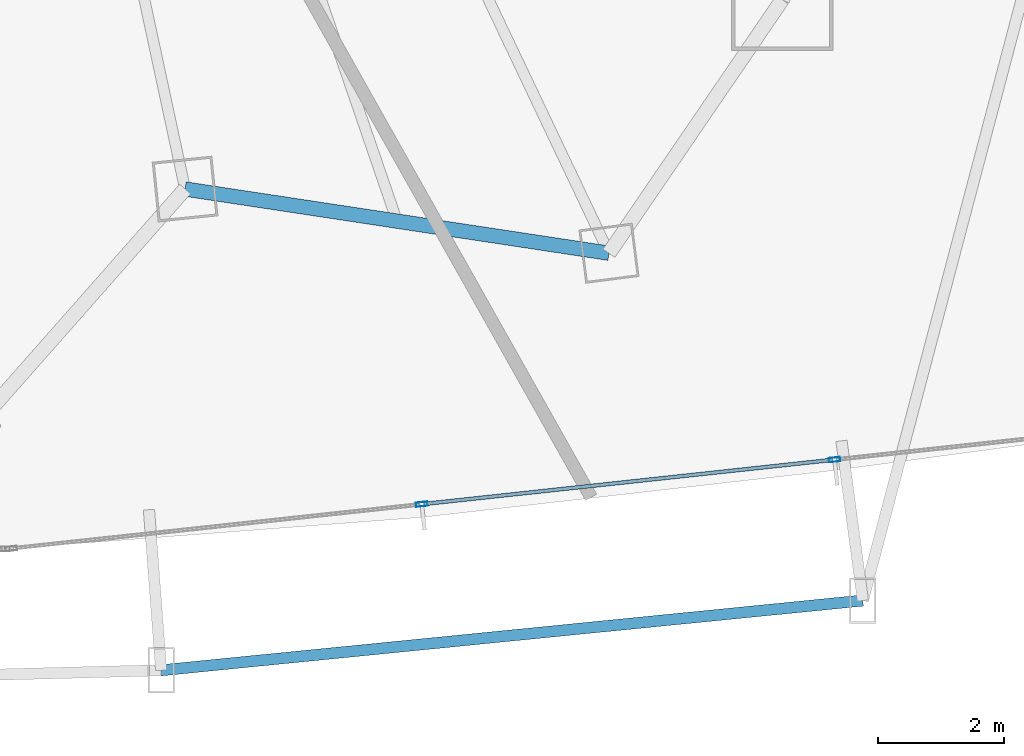
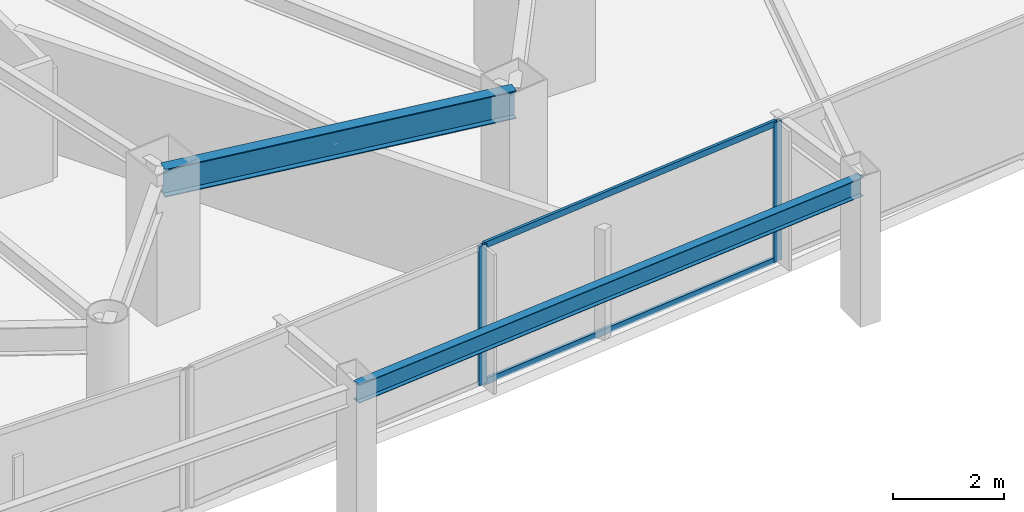
# One storey, part 14 of 37: 4 members, 2 beams, 1 element without a shape of its own.
"""IFC4 building model written with IfcOpenShell, lengths in metres."""

from ifc_helpers import new_model, si_unit, direction, frame, origin, origin_2d, place, context, subcontext, project, spatial, hollow_rectangle, i_section, extrude, material, layer, layer_set, material_profile, profile_set, type_object, element, aggregate, save


model = new_model("IFC4")

# Units and contexts
model_context = context("Model", 3, precision=1e-05, world=origin(), true_north=direction((0.0, 1.0)))
body_context = subcontext(model_context, "Body", "Model", "MODEL_VIEW")
ifc_project = project(units=[si_unit("LENGTHUNIT", "METRE"), si_unit("AREAUNIT", "SQUARE_METRE"), si_unit("VOLUMEUNIT", "CUBIC_METRE"), si_unit("PLANEANGLEUNIT", "RADIAN"), si_unit("MASSUNIT", "GRAM", prefix="KILO")], contexts=[model_context])

# Site, building, storey
site_placement = place(None, origin())
site = spatial("IfcSite", under=ifc_project, at=site_placement, CompositionType="ELEMENT")
building_placement = place(site_placement, origin())
building = spatial("IfcBuilding", under=site, at=building_placement, Name="Orvanel Arch Residences", CompositionType="ELEMENT")
storey_placement = place(building_placement, frame((0.0, 0.0, 53.300048828125)))
storey = spatial("IfcBuildingStorey", under=building, at=storey_placement, Name="L14", CompositionType="ELEMENT", Elevation=53.300048828125)

# Curtain wall, members
ifc_material_1 = material(Name="Bronze-anodised aluminium AA6063-T6", Category="aluminium")
ifc_layer = layer(ifc_material_1, 0.179931640625)
ifc_layer_set = layer_set([ifc_layer], Name="Bronze-anodised aluminium AA6063-T6")
curtain_wall_type = type_object("IfcCurtainWallType", Name="CW2-LOW-SYS", PredefinedType="NOTDEFINED", material=ifc_layer_set)
curtain_wall_placement = place(storey_placement, origin())
curtain_wall = element("IfcCurtainWall", 1, at=curtain_wall_placement, inside=storey, type_object=curtain_wall_type, Name="L14 CW2-LOW-SYS Unitised Curtain Wall", PredefinedType="NOTDEFINED")
ifc_material_profile_1 = material_profile(ifc_material_1, hollow_rectangle(XDim=0.070068359375, YDim=0.179931640625, WallThickness=0.00439453125, at=origin_2d()), Name="ALU180x70x4.5")
ifc_profile_set_1 = profile_set([ifc_material_profile_1], Name="Bronze-anodised aluminium AA6063-T6")
member_type_1 = type_object("IfcMemberType", Name="MUL-180x70", PredefinedType="MULLION", material=ifc_profile_set_1)
member_1_placement = place(storey_placement, frame((46.096923828125, 2.367431640625, 0.0), z_axis=(0.0, 0.0, 1.0), x_axis=(-0.107357145401, 0.994220520474, 0.0)))
member_1 = element("IfcMember", 2, at=member_1_placement, type_object=member_type_1, Name="CW-S2 mullion 2", PredefinedType="MULLION", context=body_context, shape_type="SweptSolid", body=[
    extrude(hollow_rectangle(XDim=0.070068359375, YDim=0.179931640625, WallThickness=0.00439453125, at=origin_2d()), origin(), (0.0, 0.0, 1.0), 3.06005859375),
])
member_2_placement = place(storey_placement, frame((52.62890625, 3.07275390625, 0.0), z_axis=(0.0, 0.0, 1.0), x_axis=(-0.107357145401, 0.994220520474, 0.0)))
member_2 = element("IfcMember", 3, at=member_2_placement, type_object=member_type_1, Name="CW-S2 mullion 3", PredefinedType="MULLION", context=body_context, shape_type="SweptSolid", body=[
    extrude(hollow_rectangle(XDim=0.070068359375, YDim=0.179931640625, WallThickness=0.00439453125, at=origin_2d()), origin(), (0.0, 0.0, 1.0), 3.06005859375),
])

# Beams
ifc_material_2 = material(Name="Structural steel AS/NZS 3679.1 Grade 300 (300 MPa)", Category="steel")
ifc_material_profile_2 = material_profile(ifc_material_2, i_section(OverallWidth=0.177978515625, OverallDepth=0.406005859375, WebThickness=0.0078125, FlangeThickness=0.0126953125, at=origin_2d()), Name="410UB59.7")
ifc_profile_set_2 = profile_set([ifc_material_profile_2], Name="Structural steel AS/NZS 3679.1 Grade 300 (300 MPa)")
beam_type_1 = type_object("IfcBeamType", Name="OB-410UB-EXT", PredefinedType="SPANDREL", material=ifc_profile_set_2)
beam_1_placement = place(storey_placement, frame((41.971923828125, -0.260986328125, 2.85693359375), z_axis=(0.995094639903, 0.0989275373, 0.0), x_axis=(-0.0989275373, 0.995094639903, 0.0)))
element("IfcBeam", 4, at=beam_1_placement, inside=storey, type_object=beam_type_1, Name="L14 Outer Perimeter Floor Ring Beam 07", PredefinedType="SPANDREL", context=body_context, shape_type="SweptSolid", body=[
    extrude(i_section(OverallWidth=0.177978515625, OverallDepth=0.406005859375, WebThickness=0.0078125, FlangeThickness=0.0126953125, at=origin_2d()), origin(), (0.0, 0.0, 1.0), 11.15966796875),
])
ifc_material_profile_3 = material_profile(ifc_material_2, i_section(OverallWidth=0.22900390625, OverallDepth=0.612060546875, WebThickness=0.011962890625, FlangeThickness=0.01953125, at=origin_2d()), Name="610UB125")
ifc_profile_set_3 = profile_set([ifc_material_profile_3], Name="Structural steel AS/NZS 3679.1 Grade 300 (300 MPa)")
beam_type_2 = type_object("IfcBeamType", Name="SP-610UB", PredefinedType="SPANDREL", material=ifc_profile_set_3)
beam_2_placement = place(storey_placement, frame((42.35107421875, 7.35498046875, 2.75390625), z_axis=(0.988726323014, -0.149733958002, 0.0), x_axis=(0.149733958002, 0.988726323014, 0.0)))
element("IfcBeam", 5, at=beam_2_placement, inside=storey, type_object=beam_type_2, Name="L14 Perimeter Spandrel Beam 09", PredefinedType="SPANDREL", context=body_context, shape_type="SweptSolid", body=[
    extrude(i_section(OverallWidth=0.22900390625, OverallDepth=0.612060546875, WebThickness=0.011962890625, FlangeThickness=0.01953125, at=origin_2d()), origin(), (0.0, 0.0, 1.0), 6.784423828125),
])

# Member
ifc_material_profile_4 = material_profile(ifc_material_1, hollow_rectangle(XDim=0.06005859375, YDim=0.135009765625, WallThickness=0.00390625, at=origin_2d()), Name="ALU135x60x4")
ifc_profile_set_4 = profile_set([ifc_material_profile_4], Name="Bronze-anodised aluminium AA6063-T6")
member_type_2 = type_object("IfcMemberType", Name="TRN-135x60", PredefinedType="USERDEFINED", material=ifc_profile_set_4)
member_3_placement = place(storey_placement, frame((46.1318359375, 2.37109375, 0.030029296875), z_axis=(0.994221574452, 0.1073473842, 0.0), x_axis=(-0.1073473842, 0.994221574452, 0.0)))
member_3 = element("IfcMember", 6, at=member_3_placement, type_object=member_type_2, Name="CW-S2 transom 2.1", ObjectType="TRANSOM", PredefinedType="USERDEFINED", context=body_context, shape_type="SweptSolid", body=[
    extrude(hollow_rectangle(XDim=0.06005859375, YDim=0.135009765625, WallThickness=0.00390625, at=origin_2d()), origin(), (0.0, 0.0, 1.0), 6.5),
])

member_4_placement = place(storey_placement, frame((46.1318359375, 2.37109375, 3.030029296875), z_axis=(0.994221574452, 0.1073473842, 0.0), x_axis=(-0.1073473842, 0.994221574452, 0.0)))
member_4 = element("IfcMember", 7, at=member_4_placement, type_object=member_type_2, Name="CW-S2 transom 2.2", ObjectType="TRANSOM", PredefinedType="USERDEFINED", context=body_context, shape_type="SweptSolid", body=[
    extrude(hollow_rectangle(XDim=0.06005859375, YDim=0.135009765625, WallThickness=0.00390625, at=origin_2d()), origin(), (0.0, 0.0, 1.0), 6.5),
])

aggregate(curtain_wall, [member_1, member_2, member_3, member_4])

save(model, "model.ifc")
